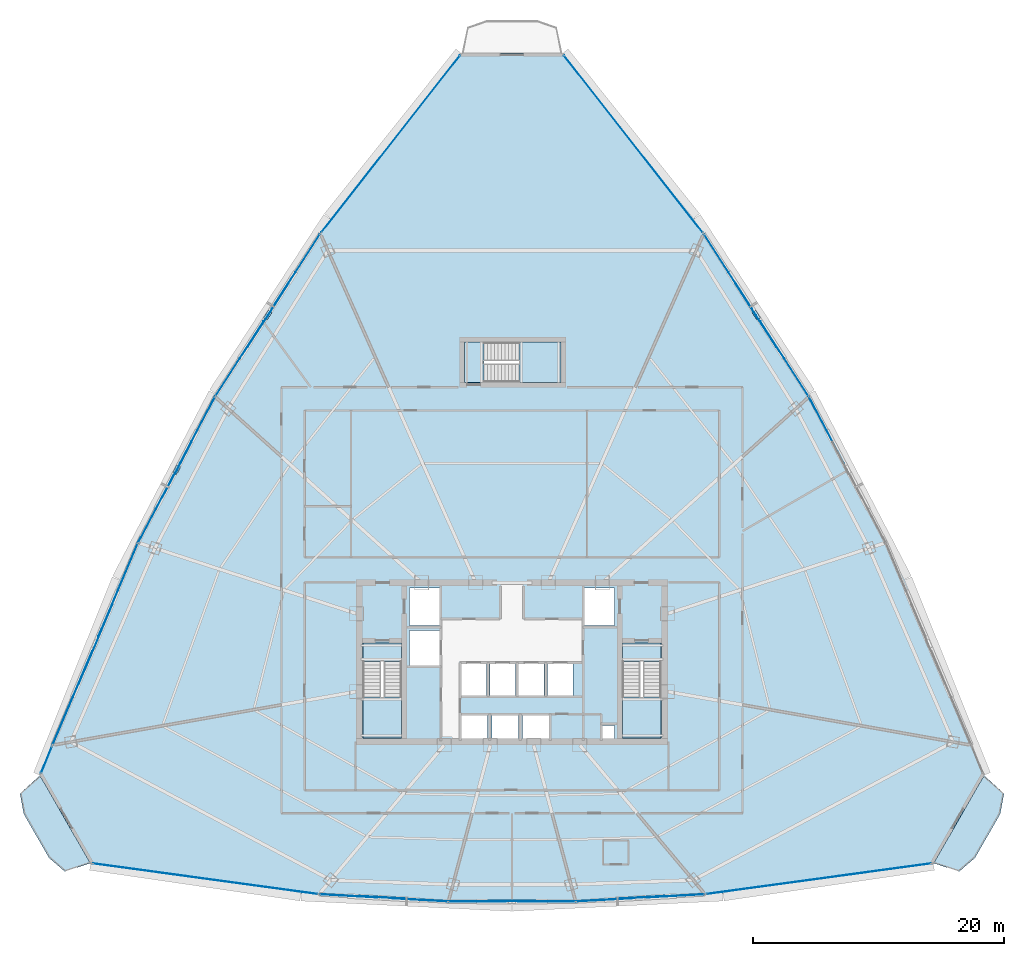
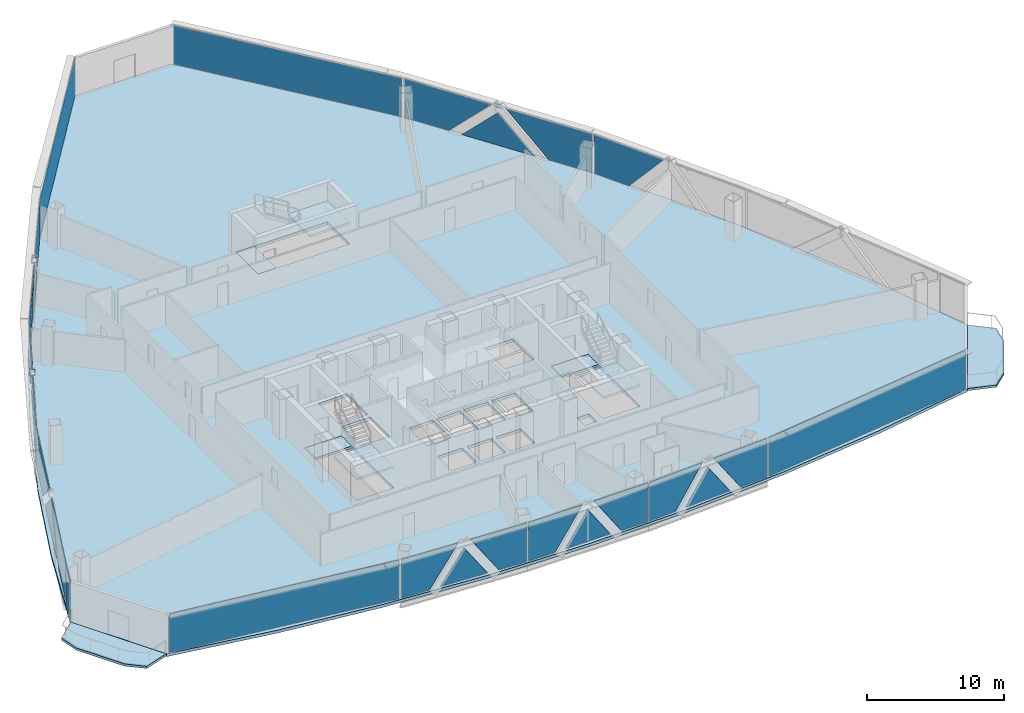
# One storey, part 27 of 36: 30 plates, 9 slabs, 16 elements without a shape of their own.
"""IFC4 building model written with IfcOpenShell, lengths in metres."""

from ifc_helpers import new_model, si_unit, direction, frame, origin, origin_2d, place, context, subcontext, project, spatial, polyline, rectangle, outline, extrude, source, transform, mapped, material, layer, layer_set, type_object, element, aggregate, save


model = new_model("IFC4")

# Units and contexts
model_context = context("Model", 3, precision=1e-05, world=origin(), true_north=direction((0.0, 1.0)))
body_context = subcontext(model_context, "Body", "Model", "MODEL_VIEW")
ifc_project = project(units=[si_unit("LENGTHUNIT", "METRE"), si_unit("AREAUNIT", "SQUARE_METRE"), si_unit("VOLUMEUNIT", "CUBIC_METRE"), si_unit("PLANEANGLEUNIT", "RADIAN"), si_unit("MASSUNIT", "GRAM", prefix="KILO"), si_unit("THERMODYNAMICTEMPERATUREUNIT", "KELVIN"), si_unit("POWERUNIT", "WATT")], contexts=[model_context])

# Site, building, storey
site_placement = place(None, origin())
site = spatial("IfcSite", under=ifc_project, at=site_placement, CompositionType="ELEMENT")
building_placement = place(site_placement, origin())
building = spatial("IfcBuilding", under=site, at=building_placement, Name="Yunzhuo Pagoda Commons", CompositionType="ELEMENT")
storey_placement = place(building_placement, frame((0.0, 0.0, 211.360107421875)))
storey = spatial("IfcBuildingStorey", under=building, at=storey_placement, Name="L53", CompositionType="ELEMENT", Elevation=211.360107421875)

# Curtain wall, plates
ifc_material_1 = material(Name="Anodized aluminium 6063-T6", Category="aluminium")
ifc_layer_1 = layer(ifc_material_1, 0.14990234375)
ifc_layer_set_1 = layer_set([ifc_layer_1], Name="Anodized aluminium 6063-T6")
curtain_wall_type = type_object("IfcCurtainWallType", Name="CW-MID Mid-Zone Ribbon Curtain Wall", PredefinedType="NOTDEFINED", material=ifc_layer_set_1)
curtain_wall_1_placement = place(storey_placement, origin())
curtain_wall_1 = element("IfcCurtainWall", 1, at=curtain_wall_1_placement, inside=storey, type_object=curtain_wall_type, Name="L53 curtain wall CW-L53-F1B2", PredefinedType="NOTDEFINED")
ifc_material_2 = material(Name="Tempered low-e double glazing", Category="glass")
ifc_layer_2 = layer(ifc_material_2, 0.028076171875)
ifc_layer_set_2 = layer_set([ifc_layer_2], Name="Tempered low-e double glazing")
plate_type_1 = type_object("IfcPlateType", Name="CW-MID-P Low-E Double Glazing 28", PredefinedType="CURTAIN_PANEL", material=ifc_layer_set_2)
plate_1_placement = place(storey_placement, frame((34.95703125, 15.218505859375, 1.769775390625), z_axis=(-0.055641789149, -0.998450795633, 0.0), x_axis=(0.998450795633, -0.055641789149, 0.0)))
plate_1 = element("IfcPlate", 2, at=plate_1_placement, type_object=plate_type_1, Name="CW panel 1.1 lite 1", PredefinedType="CURTAIN_PANEL", context=body_context, shape_type="SweptSolid", body=[
    extrude(outline(polyline([(-2.308837890625, -1.715087890625), (-0.026611328125, -1.715087890625), (2.30908203125, 1.715087890625), (-2.308837890625, 1.715087890625), (-2.308837890625, -1.715087890625)])), origin(), (0.0, 0.0, 1.0), 0.028076171875),
])
plate_2_placement = place(storey_placement, frame((37.760498046875, 15.09228515625, 1.4599609375), z_axis=(-0.055641789149, -0.998450795633, 0.0), x_axis=(0.998450795633, -0.055641789149, 0.0)))
plate_2 = element("IfcPlate", 3, at=plate_2_placement, type_object=plate_type_1, Name="CW panel 1.1 lite 2", PredefinedType="CURTAIN_PANEL", context=body_context, shape_type="SweptSolid", body=[
    extrude(outline(polyline([(-1.913330078125, -1.405029296875), (1.913330078125, -1.405029296875), (0.0, 1.40478515625), (-1.913330078125, -1.405029296875)])), origin(), (0.0, 0.0, 1.0), 0.028076171875),
])
plate_3_placement = place(storey_placement, frame((40.560546875, 14.906005859375, 1.769775390625), z_axis=(-0.055641789149, -0.998450795633, 0.0), x_axis=(0.998450795633, -0.055641789149, 0.0)))
plate_3 = element("IfcPlate", 4, at=plate_3_placement, type_object=plate_type_1, Name="CW panel 1.1 lite 3", PredefinedType="CURTAIN_PANEL", context=body_context, shape_type="SweptSolid", body=[
    extrude(outline(polyline([(-2.30908203125, 1.715087890625), (0.026611328125, -1.715087890625), (2.30908203125, -1.715087890625), (2.30908203125, 1.715087890625), (-2.30908203125, 1.715087890625)])), origin(), (0.0, 0.0, 1.0), 0.028076171875),
])
aggregate(curtain_wall_1, [plate_1, plate_2, plate_3])

curtain_wall_2_placement = place(storey_placement, origin())
curtain_wall_2 = element("IfcCurtainWall", 5, at=curtain_wall_2_placement, inside=storey, type_object=curtain_wall_type, Name="L53 curtain wall CW-L53-F1B3", PredefinedType="NOTDEFINED")
plate_4_placement = place(storey_placement, frame((45.24560546875, 14.7744140625, 1.769775390625), z_axis=(0.0, -1.0, 0.0), x_axis=(1.0, 0.0, 0.0)))
plate_4 = element("IfcPlate", 6, at=plate_4_placement, type_object=plate_type_1, Name="CW panel 1.1 lite 1", PredefinedType="CURTAIN_PANEL", context=body_context, shape_type="SweptSolid", body=[
    extrude(outline(polyline([(-2.260498046875, -1.715087890625), (-0.02978515625, -1.715087890625), (2.260498046875, 1.715087890625), (-2.260498046875, 1.715087890625), (-2.260498046875, -1.715087890625)])), origin(), (0.0, 0.0, 1.0), 0.028076171875),
])
plate_5_placement = place(storey_placement, frame((48.0, 14.80419921875, 1.455078125), z_axis=(0.0, -1.0, 0.0), x_axis=(1.0, 0.0, 0.0)))
plate_5 = element("IfcPlate", 7, at=plate_5_placement, type_object=plate_type_1, Name="CW panel 1.1 lite 2", PredefinedType="CURTAIN_PANEL", context=body_context, shape_type="SweptSolid", body=[
    extrude(outline(polyline([(-1.8701171875, -1.400390625), (1.8701171875, -1.400390625), (0.0, 1.400390625), (-1.8701171875, -1.400390625)])), origin(), (0.0, 0.0, 1.0), 0.028076171875),
])
plate_6_placement = place(storey_placement, frame((50.75439453125, 14.7744140625, 1.769775390625), z_axis=(0.0, -1.0, 0.0), x_axis=(1.0, 0.0, 0.0)))
plate_6 = element("IfcPlate", 8, at=plate_6_placement, type_object=plate_type_1, Name="CW panel 1.1 lite 3", PredefinedType="CURTAIN_PANEL", context=body_context, shape_type="SweptSolid", body=[
    extrude(outline(polyline([(-2.260498046875, 1.715087890625), (0.02978515625, -1.715087890625), (2.260498046875, -1.715087890625), (2.260498046875, 1.715087890625), (-2.260498046875, 1.715087890625)])), origin(), (0.0, 0.0, 1.0), 0.028076171875),
])
aggregate(curtain_wall_2, [plate_4, plate_5, plate_6])

curtain_wall_3_placement = place(storey_placement, origin())
curtain_wall_3 = element("IfcCurtainWall", 9, at=curtain_wall_3_placement, inside=storey, type_object=curtain_wall_type, Name="L53 curtain wall CW-L53-F1B4", PredefinedType="NOTDEFINED")
plate_7_placement = place(storey_placement, frame((55.439453125, 14.906005859375, 1.769775390625), z_axis=(0.055641789149, -0.998450795633, 0.0), x_axis=(0.998450795633, 0.055641789149, 0.0)))
plate_7 = element("IfcPlate", 10, at=plate_7_placement, type_object=plate_type_1, Name="CW panel 1.1 lite 1", PredefinedType="CURTAIN_PANEL", context=body_context, shape_type="SweptSolid", body=[
    extrude(outline(polyline([(-2.30908203125, -1.715087890625), (-0.026611328125, -1.715087890625), (2.30908203125, 1.715087890625), (-2.30908203125, 1.715087890625), (-2.30908203125, -1.715087890625)])), origin(), (0.0, 0.0, 1.0), 0.028076171875),
])
plate_8_placement = place(storey_placement, frame((58.239501953125, 15.09228515625, 1.4599609375), z_axis=(0.055641789149, -0.998450795633, 0.0), x_axis=(0.998450795633, 0.055641789149, 0.0)))
plate_8 = element("IfcPlate", 11, at=plate_8_placement, type_object=plate_type_1, Name="CW panel 1.1 lite 2", PredefinedType="CURTAIN_PANEL", context=body_context, shape_type="SweptSolid", body=[
    extrude(outline(polyline([(-1.913330078125, -1.405029296875), (1.913330078125, -1.405029296875), (0.0, 1.40478515625), (-1.913330078125, -1.405029296875)])), origin(), (0.0, 0.0, 1.0), 0.028076171875),
])
plate_9_placement = place(storey_placement, frame((61.04296875, 15.218505859375, 1.769775390625), z_axis=(0.055641789149, -0.998450795633, 0.0), x_axis=(0.998450795633, 0.055641789149, 0.0)))
plate_9 = element("IfcPlate", 12, at=plate_9_placement, type_object=plate_type_1, Name="CW panel 1.1 lite 3", PredefinedType="CURTAIN_PANEL", context=body_context, shape_type="SweptSolid", body=[
    extrude(outline(polyline([(-2.30908203125, 1.715087890625), (0.026611328125, -1.715087890625), (2.308837890625, -1.715087890625), (2.308837890625, 1.715087890625), (-2.30908203125, 1.715087890625)])), origin(), (0.0, 0.0, 1.0), 0.028076171875),
])
aggregate(curtain_wall_3, [plate_7, plate_8, plate_9])

# Curtain wall, plate
curtain_wall_4_placement = place(storey_placement, origin())
curtain_wall_4 = element("IfcCurtainWall", 13, at=curtain_wall_4_placement, inside=storey, type_object=curtain_wall_type, Name="L53 curtain wall CW-L53-F2B3", PredefinedType="NOTDEFINED")
plate_10_placement = place(storey_placement, frame((73.109130859375, 52.33984375, 1.769775390625), z_axis=(0.884704570243, 0.466152146184, 0.0), x_axis=(-0.466152146184, 0.884704570243, 0.0)))
plate_10 = element("IfcPlate", 14, at=plate_10_placement, type_object=plate_type_1, Name="CW panel 1.1 lite 3", PredefinedType="CURTAIN_PANEL", context=body_context, shape_type="SweptSolid", body=[
    extrude(outline(polyline([(-2.98583984375, 1.715087890625), (-0.01513671875, -1.715087890625), (2.98583984375, -1.715087890625), (2.98583984375, 1.715087890625), (-2.98583984375, 1.715087890625)])), origin(), (0.0, 0.0, 1.0), 0.028076171875),
])
aggregate(curtain_wall_4, [plate_10])

# Curtain wall, plates
curtain_wall_5_placement = place(storey_placement, origin())
curtain_wall_5 = element("IfcCurtainWall", 15, at=curtain_wall_5_placement, inside=storey, type_object=curtain_wall_type, Name="L53 curtain wall CW-L53-F2B4", PredefinedType="NOTDEFINED")
plate_11_placement = place(storey_placement, frame((69.735107421875, 58.061767578125, 1.769775390625), z_axis=(0.840138139518, 0.542372479508, 0.0), x_axis=(-0.542372479508, 0.840138139518, 0.0)))
plate_11 = element("IfcPlate", 16, at=plate_11_placement, type_object=plate_type_1, Name="CW panel 1.1 lite 1", PredefinedType="CURTAIN_PANEL", context=body_context, shape_type="SweptSolid", body=[
    extrude(outline(polyline([(-3.54443359375, -1.715087890625), (0.0478515625, -1.715087890625), (3.54443359375, 1.715087890625), (-3.54443359375, 1.715087890625), (-3.54443359375, -1.715087890625)])), origin(), (0.0, 0.0, 1.0), 0.028076171875),
])
plate_12_placement = place(storey_placement, frame((67.462890625, 61.5263671875, 1.53125), z_axis=(0.840138139518, 0.542372479508, 0.0), x_axis=(-0.542372479508, 0.840138139518, 0.0)))
plate_12 = element("IfcPlate", 17, at=plate_12_placement, type_object=plate_type_1, Name="CW panel 1.1 lite 2", PredefinedType="CURTAIN_PANEL", context=body_context, shape_type="SweptSolid", body=[
    extrude(outline(polyline([(-3.010009765625, -1.476318359375), (3.010009765625, -1.476318359375), (0.0, 1.476318359375), (-3.010009765625, -1.476318359375)])), origin(), (0.0, 0.0, 1.0), 0.028076171875),
])
plate_13_placement = place(storey_placement, frame((65.240966796875, 65.0234375, 1.769775390625), z_axis=(0.840138139518, 0.542372479508, 0.0), x_axis=(-0.542372479508, 0.840138139518, 0.0)))
plate_13 = element("IfcPlate", 18, at=plate_13_placement, type_object=plate_type_1, Name="CW panel 1.1 lite 3", PredefinedType="CURTAIN_PANEL", context=body_context, shape_type="SweptSolid", body=[
    extrude(outline(polyline([(-3.54443359375, 1.715087890625), (-0.0478515625, -1.715087890625), (3.54443359375, -1.715087890625), (3.54443359375, 1.715087890625), (-3.54443359375, 1.715087890625)])), origin(), (0.0, 0.0, 1.0), 0.028076171875),
])
aggregate(curtain_wall_5, [plate_11, plate_12, plate_13])

curtain_wall_6_placement = place(storey_placement, origin())
curtain_wall_6 = element("IfcCurtainWall", 19, at=curtain_wall_6_placement, inside=storey, type_object=curtain_wall_type, Name="L53 curtain wall CW-L53-F3B2", PredefinedType="NOTDEFINED")
plate_14_placement = place(storey_placement, frame((30.759033203125, 65.0234375, 1.769775390625), z_axis=(-0.840138139518, 0.542372479508, 0.0), x_axis=(-0.542372479508, -0.840138139518, 0.0)))
plate_14 = element("IfcPlate", 20, at=plate_14_placement, type_object=plate_type_1, Name="CW panel 1.1 lite 1", PredefinedType="CURTAIN_PANEL", context=body_context, shape_type="SweptSolid", body=[
    extrude(outline(polyline([(-3.54443359375, -1.715087890625), (0.0478515625, -1.715087890625), (3.54443359375, 1.715087890625), (-3.54443359375, 1.715087890625), (-3.54443359375, -1.715087890625)])), origin(), (0.0, 0.0, 1.0), 0.028076171875),
])
plate_15_placement = place(storey_placement, frame((28.537109375, 61.5263671875, 1.53125), z_axis=(-0.840138139518, 0.542372479508, 0.0), x_axis=(-0.542372479508, -0.840138139518, 0.0)))
plate_15 = element("IfcPlate", 21, at=plate_15_placement, type_object=plate_type_1, Name="CW panel 1.1 lite 2", PredefinedType="CURTAIN_PANEL", context=body_context, shape_type="SweptSolid", body=[
    extrude(outline(polyline([(-3.010009765625, -1.476318359375), (3.010009765625, -1.476318359375), (0.0, 1.476318359375), (-3.010009765625, -1.476318359375)])), origin(), (0.0, 0.0, 1.0), 0.028076171875),
])
plate_16_placement = place(storey_placement, frame((26.264892578125, 58.061767578125, 1.769775390625), z_axis=(-0.840138139518, 0.542372479508, 0.0), x_axis=(-0.542372479508, -0.840138139518, 0.0)))
plate_16 = element("IfcPlate", 22, at=plate_16_placement, type_object=plate_type_1, Name="CW panel 1.1 lite 3", PredefinedType="CURTAIN_PANEL", context=body_context, shape_type="SweptSolid", body=[
    extrude(outline(polyline([(-3.54443359375, 1.715087890625), (-0.0478515625, -1.715087890625), (3.54443359375, -1.715087890625), (3.54443359375, 1.715087890625), (-3.54443359375, 1.715087890625)])), origin(), (0.0, 0.0, 1.0), 0.028076171875),
])
aggregate(curtain_wall_6, [plate_14, plate_15, plate_16])

curtain_wall_7_placement = place(storey_placement, origin())
curtain_wall_7 = element("IfcCurtainWall", 23, at=curtain_wall_7_placement, inside=storey, type_object=curtain_wall_type, Name="L53 curtain wall CW-L53-F3B3", PredefinedType="NOTDEFINED")
plate_17_placement = place(storey_placement, frame((22.890869140625, 52.33984375, 1.769775390625), z_axis=(-0.884704570243, 0.466152146184, 0.0), x_axis=(-0.466152146184, -0.884704570243, 0.0)))
plate_17 = element("IfcPlate", 24, at=plate_17_placement, type_object=plate_type_1, Name="CW panel 1.1 lite 1", PredefinedType="CURTAIN_PANEL", context=body_context, shape_type="SweptSolid", body=[
    extrude(outline(polyline([(-2.98583984375, -1.715087890625), (0.01513671875, -1.715087890625), (2.98583984375, 1.715087890625), (-2.98583984375, 1.715087890625), (-2.98583984375, -1.715087890625)])), origin(), (0.0, 0.0, 1.0), 0.028076171875),
])
plate_18_placement = place(storey_placement, frame((21.26904296875, 49.197509765625, 1.507080078125), z_axis=(-0.884704570243, 0.466152146184, 0.0), x_axis=(-0.466152146184, -0.884704570243, 0.0)))
plate_18 = element("IfcPlate", 25, at=plate_18_placement, type_object=plate_type_1, Name="CW panel 1.1 lite 2", PredefinedType="CURTAIN_PANEL", context=body_context, shape_type="SweptSolid", body=[
    extrude(outline(polyline([(-2.515380859375, -1.452392578125), (2.515380859375, -1.452392578125), (0.0, 1.4521484375), (-2.515380859375, -1.452392578125)])), origin(), (0.0, 0.0, 1.0), 0.028076171875),
])
plate_19_placement = place(storey_placement, frame((19.593994140625, 46.0830078125, 1.769775390625), z_axis=(-0.884704570243, 0.466152146184, 0.0), x_axis=(-0.466152146184, -0.884704570243, 0.0)))
plate_19 = element("IfcPlate", 26, at=plate_19_placement, type_object=plate_type_1, Name="CW panel 1.1 lite 3", PredefinedType="CURTAIN_PANEL", context=body_context, shape_type="SweptSolid", body=[
    extrude(outline(polyline([(-2.98583984375, 1.715087890625), (-0.015380859375, -1.715087890625), (2.98583984375, -1.715087890625), (2.98583984375, 1.715087890625), (-2.98583984375, 1.715087890625)])), origin(), (0.0, 0.0, 1.0), 0.028076171875),
])
aggregate(curtain_wall_7, [plate_17, plate_18, plate_19])

curtain_wall_8_placement = place(storey_placement, origin())
curtain_wall_8 = element("IfcCurtainWall", 27, at=curtain_wall_8_placement, inside=storey, type_object=curtain_wall_type, Name="L53 curtain wall CW-L53-F3B4", PredefinedType="NOTDEFINED")
plate_20_placement = place(storey_placement, frame((16.579345703125, 39.617919921875, 1.769775390625), z_axis=(-0.920979205321, 0.389611734123, 0.0), x_axis=(-0.389611734123, -0.920979205321, 0.0)))
plate_20 = element("IfcPlate", 28, at=plate_20_placement, type_object=plate_type_1, Name="CW panel 1.1 lite 1", PredefinedType="CURTAIN_PANEL", context=body_context, shape_type="SweptSolid", body=[
    extrude(outline(polyline([(-4.03515625, -1.715087890625), (0.0751953125, -1.715087890625), (4.03515625, 1.715087890625), (-4.03515625, 1.715087890625), (-4.03515625, -1.715087890625)])), origin(), (0.0, 0.0, 1.0), 0.028076171875),
])
plate_21_placement = place(storey_placement, frame((14.783935546875, 35.297119140625, 1.5458984375), z_axis=(-0.920979205321, 0.389611734123, 0.0), x_axis=(-0.389611734123, -0.920979205321, 0.0)))
plate_21 = element("IfcPlate", 29, at=plate_21_placement, type_object=plate_type_1, Name="CW panel 1.1 lite 2", PredefinedType="CURTAIN_PANEL", context=body_context, shape_type="SweptSolid", body=[
    extrude(outline(polyline([(-3.443115234375, -1.4912109375), (3.443115234375, -1.4912109375), (0.0, 1.4912109375), (-3.443115234375, -1.4912109375)])), origin(), (0.0, 0.0, 1.0), 0.028076171875),
])
plate_22_placement = place(storey_placement, frame((12.93310546875, 30.99951171875, 1.769775390625), z_axis=(-0.920979205321, 0.389611734123, 0.0), x_axis=(-0.389611734123, -0.920979205321, 0.0)))
plate_22 = element("IfcPlate", 30, at=plate_22_placement, type_object=plate_type_1, Name="CW panel 1.1 lite 3", PredefinedType="CURTAIN_PANEL", context=body_context, shape_type="SweptSolid", body=[
    extrude(outline(polyline([(-4.03515625, 1.715087890625), (-0.0751953125, -1.715087890625), (4.03515625, -1.715087890625), (4.03515625, 1.715087890625), (-4.03515625, 1.715087890625)])), origin(), (0.0, 0.0, 1.0), 0.028076171875),
])
aggregate(curtain_wall_8, [plate_20, plate_21, plate_22])

# Slabs
ifc_material_3 = material(Name="Concrete C40", Category="concrete")
ifc_layer_3 = layer(ifc_material_3, 0.199951171875)
ifc_layer_set_3 = layer_set([ifc_layer_3], Name="Concrete C40")
slab_type_1 = type_object("IfcSlabType", Name="SL-BAL Vertex Balcony Deck Slab 200", PredefinedType="FLOOR", material=ifc_layer_set_3)
slab_1_placement = place(storey_placement, frame((0.0, 0.0, -0.2001953125)))
element("IfcSlab", 31, at=slab_1_placement, inside=storey, type_object=slab_type_1, Name="L53 corner balcony V1", PredefinedType="FLOOR", context=body_context, shape_type="SweptSolid", body=[
    extrude(outline(polyline([(10.322998046875, 24.81298828125), (14.3427734375, 17.8125), (12.3017578125, 17.159423828125), (11.0439453125, 18.24560546875), (9.0341796875, 21.745849609375), (8.730224609375, 23.379638671875), (10.322998046875, 24.81298828125)])), origin(), (0.0, 0.0, 1.0), 0.2001953125),
])
slab_2_placement = place(storey_placement, frame((0.0, 0.0, -0.2001953125)))
element("IfcSlab", 32, at=slab_2_placement, inside=storey, type_object=slab_type_1, Name="L53 corner balcony V2", PredefinedType="FLOOR", context=body_context, shape_type="SweptSolid", body=[
    extrude(outline(polyline([(81.6572265625, 17.8125), (85.677001953125, 24.81298828125), (87.269775390625, 23.379638671875), (86.9658203125, 21.745849609375), (84.9560546875, 18.24560546875), (83.6982421875, 17.159423828125), (81.6572265625, 17.8125)])), origin(), (0.0, 0.0, 1.0), 0.2001953125),
])

# Stair, slabs
stair_type_1 = type_object("IfcStairType", Name="ST-C1 Core Smokeproof Stair ST1", PredefinedType="HALF_TURN_STAIR", material=ifc_material_3)
stair_1_placement = place(storey_placement, origin())
stair_1 = element("IfcStair", 33, at=stair_1_placement, inside=storey, type_object=stair_type_1, Name="L53 Core smokeproof stair ST1", PredefinedType="HALF_TURN_STAIR")
ifc_layer_4 = layer(ifc_material_3, 0.199951171875)
ifc_layer_set_4 = layer_set([ifc_layer_4], Name="Concrete C40")
slab_type_2 = type_object("IfcSlabType", Name="SL-LND1 Stair Landing Slab 200", PredefinedType="LANDING", material=ifc_layer_set_4)
slab_3_placement = place(storey_placement, frame((0.0, 0.0, 1.699951171875)))
slab_3 = element("IfcSlab", 34, at=slab_3_placement, type_object=slab_type_2, Name="ST1 landing 1", PredefinedType="LANDING", context=body_context, shape_type="SweptSolid", body=[
    extrude(outline(polyline([(36.10009765625, 31.10009765625), (36.10009765625, 27.800048828125), (39.199951171875, 27.800048828125), (39.199951171875, 31.10009765625), (36.10009765625, 31.10009765625)])), origin(), (0.0, 0.0, 1.0), 0.199951171875),
])
slab_4_placement = place(storey_placement, frame((0.0, 0.0, -0.2001953125)))
slab_4 = element("IfcSlab", 35, at=slab_4_placement, type_object=slab_type_2, Name="ST1 floor landing L53", PredefinedType="LANDING", context=body_context, shape_type="SweptSolid", body=[
    extrude(outline(polyline([(36.10009765625, 35.39990234375), (36.10009765625, 33.89990234375), (39.199951171875, 33.89990234375), (39.199951171875, 35.39990234375), (36.10009765625, 35.39990234375)])), origin(), (0.0, 0.0, 1.0), 0.2001953125),
])
aggregate(stair_1, [slab_3, slab_4])

stair_type_2 = type_object("IfcStairType", Name="ST-C2 Core Smokeproof Stair ST2", PredefinedType="HALF_TURN_STAIR", material=ifc_material_3)
stair_2_placement = place(storey_placement, origin())
stair_2 = element("IfcStair", 36, at=stair_2_placement, inside=storey, type_object=stair_type_2, Name="L53 Core smokeproof stair ST2", PredefinedType="HALF_TURN_STAIR")
ifc_layer_5 = layer(ifc_material_3, 0.201904296875)
ifc_layer_set_5 = layer_set([ifc_layer_5], Name="Concrete C40")
slab_type_3 = type_object("IfcSlabType", Name="SL-LND2 Stair Landing Slab 202", PredefinedType="LANDING", material=ifc_layer_set_5)
slab_5_placement = place(storey_placement, frame((0.0, 0.0, 1.699951171875)))
slab_5 = element("IfcSlab", 37, at=slab_5_placement, type_object=slab_type_3, Name="ST2 landing 1", PredefinedType="LANDING", context=body_context, shape_type="SweptSolid", body=[
    extrude(outline(polyline([(56.800048828125, 31.10009765625), (56.800048828125, 27.800048828125), (59.89990234375, 27.800048828125), (59.89990234375, 31.10009765625), (56.800048828125, 31.10009765625)])), origin(), (0.0, 0.0, 1.0), 0.199951171875),
])
slab_6_placement = place(storey_placement, frame((0.0, 0.0, -0.2001953125)))
slab_6 = element("IfcSlab", 38, at=slab_6_placement, type_object=slab_type_3, Name="ST2 floor landing L53", PredefinedType="LANDING", context=body_context, shape_type="SweptSolid", body=[
    extrude(outline(polyline([(56.800048828125, 35.39990234375), (56.800048828125, 33.89990234375), (59.89990234375, 33.89990234375), (59.89990234375, 35.39990234375), (56.800048828125, 35.39990234375)])), origin(), (0.0, 0.0, 1.0), 0.2001953125),
])
aggregate(stair_2, [slab_5, slab_6])

stair_type_3 = type_object("IfcStairType", Name="ST-C3 North Tower Smokeproof Stair ST3", PredefinedType="HALF_TURN_STAIR", material=ifc_material_3)
stair_3_placement = place(storey_placement, origin())
stair_3 = element("IfcStair", 39, at=stair_3_placement, inside=storey, type_object=stair_type_3, Name="L53 North tower smokeproof stair ST3", PredefinedType="HALF_TURN_STAIR")
ifc_layer_6 = layer(ifc_material_3, 0.2041015625)
ifc_layer_set_6 = layer_set([ifc_layer_6], Name="Concrete C40")
slab_type_4 = type_object("IfcSlabType", Name="SL-LND5 North Landing Slab 204", PredefinedType="LANDING", material=ifc_layer_set_6)
slab_7_placement = place(storey_placement, frame((0.0, 0.0, 1.699951171875)))
slab_7 = element("IfcSlab", 40, at=slab_7_placement, type_object=slab_type_4, Name="ST3 landing 1", PredefinedType="LANDING", context=body_context, shape_type="SweptSolid", body=[
    extrude(outline(polyline([(48.550048828125, 56.199951171875), (51.89990234375, 56.199951171875), (51.89990234375, 59.39990234375), (48.550048828125, 59.39990234375), (48.550048828125, 56.199951171875)])), origin(), (0.0, 0.0, 1.0), 0.199951171875),
])
slab_8_placement = place(storey_placement, frame((0.0, 0.0, -0.2001953125)))
slab_8 = element("IfcSlab", 41, at=slab_8_placement, type_object=slab_type_4, Name="ST3 floor landing L53", PredefinedType="LANDING", context=body_context, shape_type="SweptSolid", body=[
    extrude(outline(polyline([(44.199951171875, 56.199951171875), (45.75, 56.199951171875), (45.75, 59.39990234375), (44.199951171875, 59.39990234375), (44.199951171875, 56.199951171875)])), origin(), (0.0, 0.0, 1.0), 0.2001953125),
])
aggregate(stair_3, [slab_7, slab_8])

# Slab
ifc_layer_7 = layer(ifc_material_3, 0.260009765625)
ifc_layer_set_7 = layer_set([ifc_layer_7], Name="Concrete C40")
slab_type_5 = type_object("IfcSlabType", Name="SL-TWR Typical Tower Floor Slab 260", PredefinedType="FLOOR", material=ifc_layer_set_7)
slab_9_placement = place(storey_placement, frame((0.0, 0.0, -0.260009765625)))
element("IfcSlab", 42, at=slab_9_placement, inside=storey, type_object=slab_type_5, Name="L53 structural floor slab", PredefinedType="FLOOR", context=body_context, shape_type="SweptSolid", body=[
    extrude(outline(polyline([(13.29638671875, 32.744384765625), (16.619140625, 40.466796875), (20.29541015625, 47.982666015625), (24.325439453125, 55.292236328125), (28.708740234375, 62.3955078125), (33.44580078125, 69.292236328125), (38.536376953125, 75.982666015625), (43.98046875, 82.466796875), (52.01953125, 82.466796875), (57.463623046875, 75.982666015625), (62.55419921875, 69.292236328125), (67.291259765625, 62.3955078125), (71.674560546875, 55.292236328125), (75.70458984375, 47.982666015625), (79.380859375, 40.466796875), (82.70361328125, 32.744384765625), (85.672607421875, 24.8154296875), (81.653076171875, 17.81494140625), (73.23974609375, 16.382080078125), (64.826416015625, 15.3583984375), (56.413330078125, 14.744384765625), (48.0, 14.539794921875), (39.5869140625, 14.744384765625), (31.173583984375, 15.3583984375), (22.76025390625, 16.382080078125), (14.346923828125, 17.81494140625), (10.327392578125, 24.8154296875), (13.29638671875, 32.744384765625)]), holes=[polyline([(46.050048828125, 29.64990234375), (43.949951171875, 29.64990234375), (43.949951171875, 27.60009765625), (46.050048828125, 27.60009765625), (46.050048828125, 29.64990234375)]), polyline([(48.5, 27.60009765625), (48.5, 29.64990234375), (46.39990234375, 29.64990234375), (46.39990234375, 27.60009765625), (48.5, 27.60009765625)]), polyline([(36.10009765625, 27.800048828125), (39.199951171875, 27.800048828125), (39.199951171875, 35.39990234375), (36.10009765625, 35.39990234375), (36.10009765625, 27.800048828125)]), polyline([(45.969970703125, 31.199951171875), (45.969970703125, 33.800048828125), (43.929931640625, 33.800048828125), (43.929931640625, 31.199951171875), (45.969970703125, 31.199951171875)]), polyline([(48.27001953125, 31.199951171875), (48.27001953125, 33.800048828125), (46.22998046875, 33.800048828125), (46.22998046875, 31.199951171875), (48.27001953125, 31.199951171875)]), polyline([(42.199951171875, 33.60009765625), (42.199951171875, 36.39990234375), (39.800048828125, 36.39990234375), (39.800048828125, 33.60009765625), (42.199951171875, 33.60009765625)]), polyline([(42.199951171875, 36.800048828125), (42.199951171875, 39.800048828125), (39.800048828125, 39.800048828125), (39.800048828125, 36.800048828125), (42.199951171875, 36.800048828125)]), polyline([(56.179931640625, 28.800048828125), (55.179931640625, 28.800048828125), (55.179931640625, 27.699951171875), (56.179931640625, 27.699951171875), (56.179931640625, 28.800048828125)]), polyline([(50.949951171875, 27.60009765625), (50.949951171875, 29.64990234375), (48.85009765625, 29.64990234375), (48.85009765625, 27.60009765625), (50.949951171875, 27.60009765625)]), polyline([(56.800048828125, 27.800048828125), (59.89990234375, 27.800048828125), (59.89990234375, 35.39990234375), (56.800048828125, 35.39990234375), (56.800048828125, 27.800048828125)]), polyline([(50.570068359375, 31.199951171875), (50.570068359375, 33.800048828125), (48.530029296875, 33.800048828125), (48.530029296875, 31.199951171875), (50.570068359375, 31.199951171875)]), polyline([(52.8701171875, 31.199951171875), (52.8701171875, 33.800048828125), (50.830078125, 33.800048828125), (50.830078125, 31.199951171875), (52.8701171875, 31.199951171875)]), polyline([(56.199951171875, 36.800048828125), (56.199951171875, 39.800048828125), (53.800048828125, 39.800048828125), (53.800048828125, 36.800048828125), (56.199951171875, 36.800048828125)]), polyline([(51.89990234375, 56.199951171875), (51.89990234375, 59.39990234375), (44.199951171875, 59.39990234375), (44.199951171875, 56.199951171875), (51.89990234375, 56.199951171875)])]), origin(), (0.0, 0.0, 1.0), 0.260009765625),
])

# Plates
ifc_material_4 = material(Name="Structural steel Q355B", Category="steel")
ifc_layer_8 = layer(ifc_material_4, 0.028076171875)
ifc_layer_set_8 = layer_set([ifc_layer_8], Name="Structural steel Q355B")
plate_type_2 = type_object("IfcPlateType", Name="SP-ND1 Lattice Node Cap Plate 800x500x28", PredefinedType="USERDEFINED", material=ifc_layer_set_8)
shared_shape_1 = source(origin(), body_context, "Body", "SweptSolid", [
    extrude(rectangle(XDim=0.699951171875, YDim=0.35009765625, at=origin_2d()), origin(), (0.0, 0.0, 1.0), 0.035888671875),
])
for number, where, z_axis, x_axis, name in (
    (43, (67.499755859375, 61.55029296875, 3.501953125), (0.0, 0.0, 1.0), (-0.542368222605, 0.840140887654, 0.0), "L53 setback lattice tie plate F2.3L"),
    (44, (28.500244140625, 61.55029296875, 3.501953125), (0.0, 0.0, 1.0), (-0.542368222605, -0.840140887654, 0.0), "L53 setback lattice tie plate F3.1L"),
    (45, (21.22998046875, 49.218017578125, 3.501953125), (0.0, 0.0, 1.0), (-0.466155041602, -0.884703044636, 0.0), "L53 setback lattice tie plate F3.2L"),
):
    element("IfcPlate", number, at=place(storey_placement, frame(where, z_axis=z_axis, x_axis=x_axis)), inside=storey, type_object=plate_type_2, Name=name, ObjectType="STIFFENER_PLATE", PredefinedType="USERDEFINED", context=body_context, shape_type="MappedRepresentation", body=[
        mapped(shared_shape_1, transform((0.0, 0.0, 0.0), scale=1.0)),
    ])

# Curtain wall, plate
curtain_wall_9_placement = place(storey_placement, origin())
curtain_wall_9 = element("IfcCurtainWall", 46, at=curtain_wall_9_placement, inside=storey, type_object=curtain_wall_type, Name="L53 curtain wall CW-L53-F1B1", PredefinedType="NOTDEFINED")
shared_shape_2 = source(origin(), body_context, "Body", "SweptSolid", [
    extrude(rectangle(XDim=18.0556640625, YDim=0.028076171875, at=origin_2d()), origin(), (0.0, 0.0, 1.0), 3.429931640625),
])
plate_23_placement = place(storey_placement, frame((23.511962890625, 16.57177734375, 0.0546875), z_axis=(0.0, 0.0, 1.0), x_axis=(0.990867460252, -0.134839446061, 0.0)))
plate_23 = element("IfcPlate", 47, at=plate_23_placement, type_object=plate_type_1, Name="CW panel 1.1", PredefinedType="CURTAIN_PANEL", context=body_context, shape_type="MappedRepresentation", body=[
    mapped(shared_shape_2, transform((0.0, 0.0, 0.0), scale=1.0)),
])
aggregate(curtain_wall_9, [plate_23])

curtain_wall_10_placement = place(storey_placement, origin())
curtain_wall_10 = element("IfcCurtainWall", 48, at=curtain_wall_10_placement, inside=storey, type_object=curtain_wall_type, Name="L53 curtain wall CW-L53-F1B5", PredefinedType="NOTDEFINED")
plate_24_placement = place(storey_placement, frame((72.488037109375, 16.57177734375, 0.0546875), z_axis=(0.0, 0.0, 1.0), x_axis=(0.990867460252, 0.134839446061, 0.0)))
plate_24 = element("IfcPlate", 49, at=plate_24_placement, type_object=plate_type_1, Name="CW panel 1.1", PredefinedType="CURTAIN_PANEL", context=body_context, shape_type="MappedRepresentation", body=[
    mapped(shared_shape_2, transform((0.0, 0.0, 0.0), scale=1.0)),
])
aggregate(curtain_wall_10, [plate_24])

curtain_wall_11_placement = place(storey_placement, origin())
curtain_wall_11 = element("IfcCurtainWall", 50, at=curtain_wall_11_placement, inside=storey, type_object=curtain_wall_type, Name="L53 curtain wall CW-L53-F3B5", PredefinedType="NOTDEFINED")
shared_shape_3 = source(origin(), body_context, "Body", "SweptSolid", [
    extrude(rectangle(XDim=2.25927734375, YDim=0.028076171875, at=origin_2d()), origin(), (0.0, 0.0, 1.0), 3.429931640625),
])
plate_25_placement = place(storey_placement, frame((10.844482421875, 26.063232421875, 0.0546875), z_axis=(0.0, 0.0, 1.0), x_axis=(-0.379679953183, -0.925117902297, 0.0)))
plate_25 = element("IfcPlate", 51, at=plate_25_placement, type_object=plate_type_1, Name="CW panel 1.1", PredefinedType="CURTAIN_PANEL", context=body_context, shape_type="MappedRepresentation", body=[
    mapped(shared_shape_3, transform((0.0, 0.0, 0.0), scale=1.0)),
])
aggregate(curtain_wall_11, [plate_25])

curtain_wall_12_placement = place(storey_placement, origin())
curtain_wall_12 = element("IfcCurtainWall", 52, at=curtain_wall_12_placement, inside=storey, type_object=curtain_wall_type, Name="L53 curtain wall CW-L53-F2B5", PredefinedType="NOTDEFINED")
shared_shape_4 = source(origin(), body_context, "Body", "SweptSolid", [
    extrude(rectangle(XDim=17.94091796875, YDim=0.028076171875, at=origin_2d()), origin(), (0.0, 0.0, 1.0), 3.429931640625),
])
plate_26_placement = place(storey_placement, frame((57.68310546875, 75.2275390625, 0.0546875), z_axis=(0.0, 0.0, 1.0), x_axis=(-0.616633666547, 0.78725022787, 0.0)))
plate_26 = element("IfcPlate", 53, at=plate_26_placement, type_object=plate_type_1, Name="CW panel 1.1", PredefinedType="CURTAIN_PANEL", context=body_context, shape_type="MappedRepresentation", body=[
    mapped(shared_shape_4, transform((0.0, 0.0, 0.0), scale=1.0)),
])
aggregate(curtain_wall_12, [plate_26])

curtain_wall_13_placement = place(storey_placement, origin())
curtain_wall_13 = element("IfcCurtainWall", 54, at=curtain_wall_13_placement, inside=storey, type_object=curtain_wall_type, Name="L53 curtain wall CW-L53-F3B1", PredefinedType="NOTDEFINED")
plate_27_placement = place(storey_placement, frame((38.31689453125, 75.2275390625, 0.0546875), z_axis=(0.0, 0.0, 1.0), x_axis=(-0.616633666547, -0.78725022787, 0.0)))
plate_27 = element("IfcPlate", 55, at=plate_27_placement, type_object=plate_type_1, Name="CW panel 1.1", PredefinedType="CURTAIN_PANEL", context=body_context, shape_type="MappedRepresentation", body=[
    mapped(shared_shape_4, transform((0.0, 0.0, 0.0), scale=1.0)),
])
aggregate(curtain_wall_13, [plate_27])

save(model, "model.ifc")
